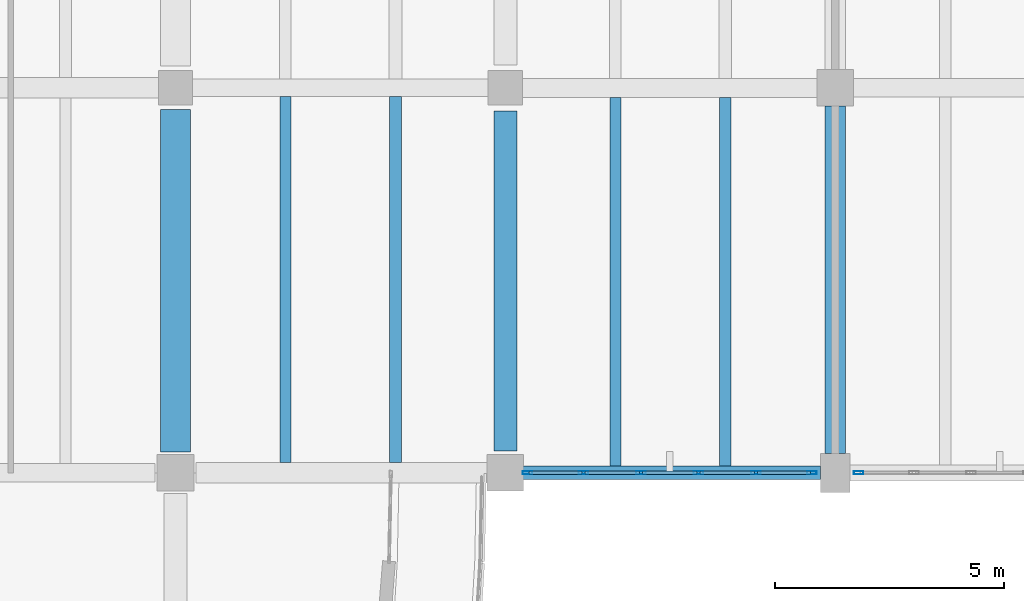
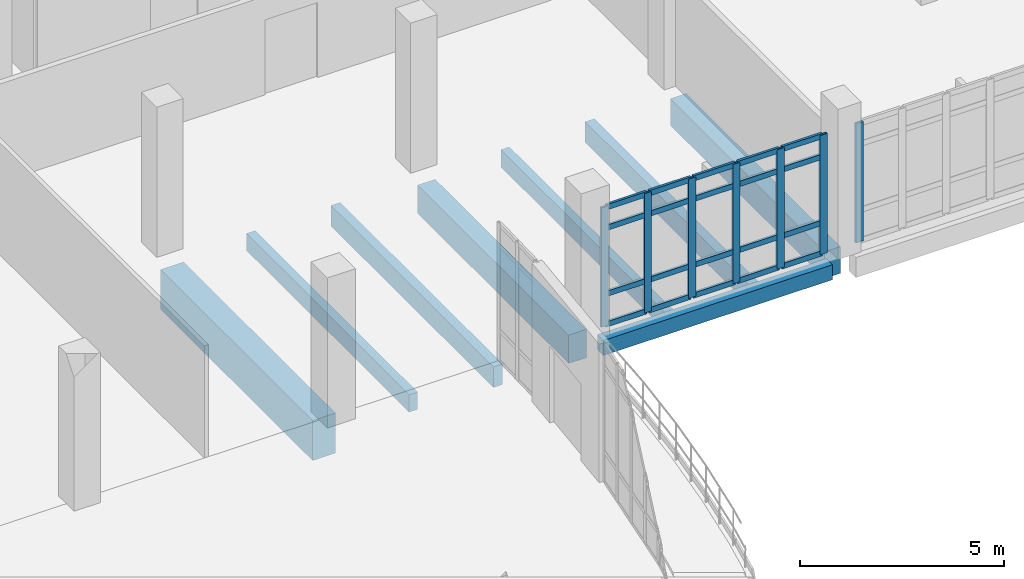
# One storey, part 70 of 124: 27 members, 8 beams, 2 elements without a shape of their own.
"""IFC4 building model written with IfcOpenShell, lengths in metres."""

from ifc_helpers import new_model, si_unit, direction, frame, origin, origin_2d, place, context, subcontext, project, spatial, rectangle, hollow_rectangle, extrude, material, material_profile, profile_set, type_object, element, aggregate, save


model = new_model("IFC4")

# Units and contexts
model_context = context("Model", 3, precision=1e-05, world=origin(), true_north=direction((0.0, 1.0)))
body_context = subcontext(model_context, "Body", "Model", "MODEL_VIEW")
ifc_project = project(units=[si_unit("LENGTHUNIT", "METRE"), si_unit("AREAUNIT", "SQUARE_METRE"), si_unit("VOLUMEUNIT", "CUBIC_METRE"), si_unit("PLANEANGLEUNIT", "RADIAN"), si_unit("MASSUNIT", "GRAM", prefix="KILO")], contexts=[model_context])

# Site, building, storey
site_placement = place(None, origin())
site = spatial("IfcSite", under=ifc_project, at=site_placement, CompositionType="ELEMENT")
building_placement = place(site_placement, origin())
building = spatial("IfcBuilding", under=site, at=building_placement, Name="Kalluvel Institute of Natural Sciences", CompositionType="ELEMENT")
storey_placement = place(building_placement, frame((0.0, 0.0, 9.89990234375)))
storey = spatial("IfcBuildingStorey", under=building, at=storey_placement, Name="L02", CompositionType="ELEMENT", Elevation=9.89990234375)

# Beams
ifc_material_1 = material(Name="Concrete M40", Category="concrete")
ifc_material_profile_1 = material_profile(ifc_material_1, rectangle(XDim=0.449951171875, YDim=0.800048828125, at=origin_2d()), Name="RCB 450x800")
ifc_profile_set_1 = profile_set([ifc_material_profile_1], Name="Concrete M40")
beam_type_1 = type_object("IfcBeamType", Name="BM-RC450x800", PredefinedType="BEAM", material=ifc_profile_set_1)
beam_1_placement = place(storey_placement, frame((93.199951171875, 103.22509765625, -0.719970703125), z_axis=(0.0, 1.0, 0.0), x_axis=(-1.0, 0.0, 0.0)))
element("IfcBeam", 1, at=beam_1_placement, inside=storey, type_object=beam_type_1, Name="L02 girder GIR-L02-NS-X932-Y1028", PredefinedType="BEAM", context=body_context, shape_type="SweptSolid", body=[
    extrude(rectangle(XDim=0.449951171875, YDim=0.800048828125, at=origin_2d()), origin(), (0.0, 0.0, 1.0), 7.574951171875),
])
ifc_material_2 = material(Name="Concrete M50", Category="concrete")
ifc_material_profile_2 = material_profile(ifc_material_2, rectangle(XDim=0.5, YDim=0.85009765625, at=origin_2d()), Name="RCB 500x850")
ifc_profile_set_2 = profile_set([ifc_material_profile_2], Name="Concrete M50")
beam_type_2 = type_object("IfcBeamType", Name="BM-RC500x850", PredefinedType="BEAM", material=ifc_profile_set_2)
beam_2_placement = place(storey_placement, frame((86.0, 103.27490234375, -0.744873046875), z_axis=(0.0, 1.0, 0.0), x_axis=(-1.0, 0.0, 0.0)))
element("IfcBeam", 2, at=beam_2_placement, inside=storey, type_object=beam_type_2, Name="L02 girder GIR-L02-NS-X860-Y1028", PredefinedType="BEAM", context=body_context, shape_type="SweptSolid", body=[
    extrude(rectangle(XDim=0.5, YDim=0.85009765625, at=origin_2d()), origin(), (0.0, 0.0, 1.0), 7.425048828125),
])
ifc_material_profile_3 = material_profile(ifc_material_2, rectangle(XDim=0.64990234375, YDim=1.199951171875, at=origin_2d()), Name="RCB 650x1200")
ifc_profile_set_3 = profile_set([ifc_material_profile_3], Name="Concrete M50")
beam_type_3 = type_object("IfcBeamType", Name="BM-RC650x1200", PredefinedType="BEAM", material=ifc_profile_set_3)
beam_3_placement = place(storey_placement, frame((78.800048828125, 103.25, -0.919921875), z_axis=(0.0, 1.0, 0.0), x_axis=(-1.0, 0.0, 0.0)))
element("IfcBeam", 3, at=beam_3_placement, inside=storey, type_object=beam_type_3, Name="L02 girder GIR-L02-NS-X788-Y1028", PredefinedType="BEAM", context=body_context, shape_type="SweptSolid", body=[
    extrude(rectangle(XDim=0.64990234375, YDim=1.199951171875, at=origin_2d()), origin(), (0.0, 0.0, 1.0), 7.47509765625),
])

# Curtain wall, members
ifc_material_3 = material(Name="Aluminium AW-6063 T6", Category="aluminium")
curtain_wall_type = type_object("IfcCurtainWallType", Name="CW-WET-45", PredefinedType="USERDEFINED", material=ifc_material_3)
curtain_wall_1_placement = place(storey_placement, origin())
curtain_wall_1 = element("IfcCurtainWall", 4, at=curtain_wall_1_placement, inside=storey, type_object=curtain_wall_type, Name="L02 Gothic lancet curtain wall CWA-L02-X864-Y1028", ObjectType="UNITISED LANCET FACADE", PredefinedType="USERDEFINED")
ifc_material_profile_4 = material_profile(ifc_material_3, hollow_rectangle(XDim=0.070068359375, YDim=0.2099609375, WallThickness=0.0048828125, at=origin_2d()), Name="CWM 70x210")
ifc_profile_set_4 = profile_set([ifc_material_profile_4], Name="Aluminium AW-6063 T6")
member_type_1 = type_object("IfcMemberType", Name="CWM-70x210", PredefinedType="MULLION", material=ifc_profile_set_4)
member_1_placement = place(storey_placement, frame((86.485107421875, 102.800048828125, 0.0), z_axis=(0.0, 0.0, 1.0), x_axis=(0.0, 1.0, 0.0)))
member_1 = element("IfcMember", 5, at=member_1_placement, type_object=member_type_1, Name="CW-01 mullion 1", PredefinedType="MULLION", context=body_context, shape_type="SweptSolid", body=[
    extrude(hollow_rectangle(XDim=0.070068359375, YDim=0.2099609375, WallThickness=0.0048828125, at=origin_2d()), origin(), (0.0, 0.0, 1.0), 3.580078125),
])
member_2_placement = place(storey_placement, frame((87.705078125, 102.800048828125, 0.0), z_axis=(0.0, 0.0, 1.0), x_axis=(0.0, 1.0, 0.0)))
member_2 = element("IfcMember", 6, at=member_2_placement, type_object=member_type_1, Name="CW-01 mullion 2", PredefinedType="MULLION", context=body_context, shape_type="SweptSolid", body=[
    extrude(hollow_rectangle(XDim=0.070068359375, YDim=0.2099609375, WallThickness=0.0048828125, at=origin_2d()), origin(), (0.0, 0.0, 1.0), 3.580078125),
])
member_3_placement = place(storey_placement, frame((88.9599609375, 102.800048828125, 0.0), z_axis=(0.0, 0.0, 1.0), x_axis=(0.0, 1.0, 0.0)))
member_3 = element("IfcMember", 7, at=member_3_placement, type_object=member_type_1, Name="CW-01 mullion 3", PredefinedType="MULLION", context=body_context, shape_type="SweptSolid", body=[
    extrude(hollow_rectangle(XDim=0.070068359375, YDim=0.2099609375, WallThickness=0.0048828125, at=origin_2d()), origin(), (0.0, 0.0, 1.0), 3.580078125),
])
member_4_placement = place(storey_placement, frame((90.215087890625, 102.800048828125, 0.0), z_axis=(0.0, 0.0, 1.0), x_axis=(0.0, 1.0, 0.0)))
member_4 = element("IfcMember", 8, at=member_4_placement, type_object=member_type_1, Name="CW-01 mullion 4", PredefinedType="MULLION", context=body_context, shape_type="SweptSolid", body=[
    extrude(hollow_rectangle(XDim=0.070068359375, YDim=0.2099609375, WallThickness=0.0048828125, at=origin_2d()), origin(), (0.0, 0.0, 1.0), 3.580078125),
])
member_5_placement = place(storey_placement, frame((91.469970703125, 102.800048828125, 0.0), z_axis=(0.0, 0.0, 1.0), x_axis=(0.0, 1.0, 0.0)))
member_5 = element("IfcMember", 9, at=member_5_placement, type_object=member_type_1, Name="CW-01 mullion 5", PredefinedType="MULLION", context=body_context, shape_type="SweptSolid", body=[
    extrude(hollow_rectangle(XDim=0.070068359375, YDim=0.2099609375, WallThickness=0.0048828125, at=origin_2d()), origin(), (0.0, 0.0, 1.0), 3.580078125),
])
member_6_placement = place(storey_placement, frame((92.68994140625, 102.800048828125, 0.0), z_axis=(0.0, 0.0, 1.0), x_axis=(0.0, 1.0, 0.0)))
member_6 = element("IfcMember", 10, at=member_6_placement, type_object=member_type_1, Name="CW-01 mullion 6", PredefinedType="MULLION", context=body_context, shape_type="SweptSolid", body=[
    extrude(hollow_rectangle(XDim=0.070068359375, YDim=0.2099609375, WallThickness=0.0048828125, at=origin_2d()), origin(), (0.0, 0.0, 1.0), 3.580078125),
])

# Curtain wall, member
curtain_wall_2_placement = place(storey_placement, origin())
curtain_wall_2 = element("IfcCurtainWall", 11, at=curtain_wall_2_placement, inside=storey, type_object=curtain_wall_type, Name="L02 Gothic lancet curtain wall CWA-L02-X937-Y1028", ObjectType="UNITISED LANCET FACADE", PredefinedType="USERDEFINED")
member_7_placement = place(storey_placement, frame((93.7099609375, 102.800048828125, 0.0), z_axis=(0.0, 0.0, 1.0), x_axis=(0.0, 1.0, 0.0)))
member_7 = element("IfcMember", 12, at=member_7_placement, type_object=member_type_1, Name="CW-01 mullion 1", PredefinedType="MULLION", context=body_context, shape_type="SweptSolid", body=[
    extrude(hollow_rectangle(XDim=0.070068359375, YDim=0.2099609375, WallThickness=0.0048828125, at=origin_2d()), origin(), (0.0, 0.0, 1.0), 3.580078125),
])
aggregate(curtain_wall_2, [member_7])

# Member
ifc_material_profile_5 = material_profile(ifc_material_3, hollow_rectangle(XDim=0.070068359375, YDim=0.159912109375, WallThickness=0.0048828125, at=origin_2d()), Name="CWT 70x160")
ifc_profile_set_5 = profile_set([ifc_material_profile_5], Name="Aluminium AW-6063 T6")
member_type_2 = type_object("IfcMemberType", Name="CWT-70x160", PredefinedType="USERDEFINED", material=ifc_profile_set_5)
member_8_placement = place(storey_placement, frame((86.52001953125, 102.800048828125, 0.03515625), z_axis=(1.0, 0.0, 0.0), x_axis=(0.0, 1.0, 0.0)))
member_8 = element("IfcMember", 13, at=member_8_placement, type_object=member_type_2, Name="CW-01 transom 1.1", ObjectType="TRANSOM", PredefinedType="USERDEFINED", context=body_context, shape_type="SweptSolid", body=[
    extrude(hollow_rectangle(XDim=0.070068359375, YDim=0.159912109375, WallThickness=0.0048828125, at=origin_2d()), origin(), (0.0, 0.0, 1.0), 1.14990234375),
])

member_9_placement = place(storey_placement, frame((86.52001953125, 102.800048828125, 0.9501953125), z_axis=(1.0, 0.0, 0.0), x_axis=(0.0, 1.0, 0.0)))
member_9 = element("IfcMember", 14, at=member_9_placement, type_object=member_type_2, Name="CW-01 transom 1.2", ObjectType="TRANSOM", PredefinedType="USERDEFINED", context=body_context, shape_type="SweptSolid", body=[
    extrude(hollow_rectangle(XDim=0.070068359375, YDim=0.159912109375, WallThickness=0.0048828125, at=origin_2d()), origin(), (0.0, 0.0, 1.0), 1.14990234375),
])

member_10_placement = place(storey_placement, frame((86.52001953125, 102.800048828125, 2.93017578125), z_axis=(1.0, 0.0, 0.0), x_axis=(0.0, 1.0, 0.0)))
member_10 = element("IfcMember", 15, at=member_10_placement, type_object=member_type_2, Name="CW-01 transom 1.3", ObjectType="TRANSOM", PredefinedType="USERDEFINED", context=body_context, shape_type="SweptSolid", body=[
    extrude(hollow_rectangle(XDim=0.070068359375, YDim=0.159912109375, WallThickness=0.0048828125, at=origin_2d()), origin(), (0.0, 0.0, 1.0), 1.14990234375),
])

member_11_placement = place(storey_placement, frame((86.52001953125, 102.800048828125, 3.545166015625), z_axis=(1.0, 0.0, 0.0), x_axis=(0.0, 1.0, 0.0)))
member_11 = element("IfcMember", 16, at=member_11_placement, type_object=member_type_2, Name="CW-01 transom 1.4", ObjectType="TRANSOM", PredefinedType="USERDEFINED", context=body_context, shape_type="SweptSolid", body=[
    extrude(hollow_rectangle(XDim=0.070068359375, YDim=0.159912109375, WallThickness=0.0048828125, at=origin_2d()), origin(), (0.0, 0.0, 1.0), 1.14990234375),
])

member_12_placement = place(storey_placement, frame((87.739990234375, 102.800048828125, 0.03515625), z_axis=(1.0, 0.0, 0.0), x_axis=(0.0, 1.0, 0.0)))
member_12 = element("IfcMember", 17, at=member_12_placement, type_object=member_type_2, Name="CW-01 transom 2.1", ObjectType="TRANSOM", PredefinedType="USERDEFINED", context=body_context, shape_type="SweptSolid", body=[
    extrude(hollow_rectangle(XDim=0.070068359375, YDim=0.159912109375, WallThickness=0.0048828125, at=origin_2d()), origin(), (0.0, 0.0, 1.0), 1.18505859375),
])

member_13_placement = place(storey_placement, frame((87.739990234375, 102.800048828125, 0.9501953125), z_axis=(1.0, 0.0, 0.0), x_axis=(0.0, 1.0, 0.0)))
member_13 = element("IfcMember", 18, at=member_13_placement, type_object=member_type_2, Name="CW-01 transom 2.2", ObjectType="TRANSOM", PredefinedType="USERDEFINED", context=body_context, shape_type="SweptSolid", body=[
    extrude(hollow_rectangle(XDim=0.070068359375, YDim=0.159912109375, WallThickness=0.0048828125, at=origin_2d()), origin(), (0.0, 0.0, 1.0), 1.18505859375),
])

member_14_placement = place(storey_placement, frame((87.739990234375, 102.800048828125, 2.93017578125), z_axis=(1.0, 0.0, 0.0), x_axis=(0.0, 1.0, 0.0)))
member_14 = element("IfcMember", 19, at=member_14_placement, type_object=member_type_2, Name="CW-01 transom 2.3", ObjectType="TRANSOM", PredefinedType="USERDEFINED", context=body_context, shape_type="SweptSolid", body=[
    extrude(hollow_rectangle(XDim=0.070068359375, YDim=0.159912109375, WallThickness=0.0048828125, at=origin_2d()), origin(), (0.0, 0.0, 1.0), 1.18505859375),
])

member_15_placement = place(storey_placement, frame((87.739990234375, 102.800048828125, 3.545166015625), z_axis=(1.0, 0.0, 0.0), x_axis=(0.0, 1.0, 0.0)))
member_15 = element("IfcMember", 20, at=member_15_placement, type_object=member_type_2, Name="CW-01 transom 2.4", ObjectType="TRANSOM", PredefinedType="USERDEFINED", context=body_context, shape_type="SweptSolid", body=[
    extrude(hollow_rectangle(XDim=0.070068359375, YDim=0.159912109375, WallThickness=0.0048828125, at=origin_2d()), origin(), (0.0, 0.0, 1.0), 1.18505859375),
])

member_16_placement = place(storey_placement, frame((88.9951171875, 102.800048828125, 0.03515625), z_axis=(1.0, 0.0, 0.0), x_axis=(0.0, 1.0, 0.0)))
member_16 = element("IfcMember", 21, at=member_16_placement, type_object=member_type_2, Name="CW-01 transom 3.1", ObjectType="TRANSOM", PredefinedType="USERDEFINED", context=body_context, shape_type="SweptSolid", body=[
    extrude(hollow_rectangle(XDim=0.070068359375, YDim=0.159912109375, WallThickness=0.0048828125, at=origin_2d()), origin(), (0.0, 0.0, 1.0), 1.184814453125),
])

member_17_placement = place(storey_placement, frame((88.9951171875, 102.800048828125, 0.9501953125), z_axis=(1.0, 0.0, 0.0), x_axis=(0.0, 1.0, 0.0)))
member_17 = element("IfcMember", 22, at=member_17_placement, type_object=member_type_2, Name="CW-01 transom 3.2", ObjectType="TRANSOM", PredefinedType="USERDEFINED", context=body_context, shape_type="SweptSolid", body=[
    extrude(hollow_rectangle(XDim=0.070068359375, YDim=0.159912109375, WallThickness=0.0048828125, at=origin_2d()), origin(), (0.0, 0.0, 1.0), 1.184814453125),
])

member_18_placement = place(storey_placement, frame((88.9951171875, 102.800048828125, 2.93017578125), z_axis=(1.0, 0.0, 0.0), x_axis=(0.0, 1.0, 0.0)))
member_18 = element("IfcMember", 23, at=member_18_placement, type_object=member_type_2, Name="CW-01 transom 3.3", ObjectType="TRANSOM", PredefinedType="USERDEFINED", context=body_context, shape_type="SweptSolid", body=[
    extrude(hollow_rectangle(XDim=0.070068359375, YDim=0.159912109375, WallThickness=0.0048828125, at=origin_2d()), origin(), (0.0, 0.0, 1.0), 1.184814453125),
])

member_19_placement = place(storey_placement, frame((88.9951171875, 102.800048828125, 3.545166015625), z_axis=(1.0, 0.0, 0.0), x_axis=(0.0, 1.0, 0.0)))
member_19 = element("IfcMember", 24, at=member_19_placement, type_object=member_type_2, Name="CW-01 transom 3.4", ObjectType="TRANSOM", PredefinedType="USERDEFINED", context=body_context, shape_type="SweptSolid", body=[
    extrude(hollow_rectangle(XDim=0.070068359375, YDim=0.159912109375, WallThickness=0.0048828125, at=origin_2d()), origin(), (0.0, 0.0, 1.0), 1.184814453125),
])

member_20_placement = place(storey_placement, frame((90.25, 102.800048828125, 0.03515625), z_axis=(1.0, 0.0, 0.0), x_axis=(0.0, 1.0, 0.0)))
member_20 = element("IfcMember", 25, at=member_20_placement, type_object=member_type_2, Name="CW-01 transom 4.1", ObjectType="TRANSOM", PredefinedType="USERDEFINED", context=body_context, shape_type="SweptSolid", body=[
    extrude(hollow_rectangle(XDim=0.070068359375, YDim=0.159912109375, WallThickness=0.0048828125, at=origin_2d()), origin(), (0.0, 0.0, 1.0), 1.18505859375),
])

member_21_placement = place(storey_placement, frame((90.25, 102.800048828125, 0.9501953125), z_axis=(1.0, 0.0, 0.0), x_axis=(0.0, 1.0, 0.0)))
member_21 = element("IfcMember", 26, at=member_21_placement, type_object=member_type_2, Name="CW-01 transom 4.2", ObjectType="TRANSOM", PredefinedType="USERDEFINED", context=body_context, shape_type="SweptSolid", body=[
    extrude(hollow_rectangle(XDim=0.070068359375, YDim=0.159912109375, WallThickness=0.0048828125, at=origin_2d()), origin(), (0.0, 0.0, 1.0), 1.18505859375),
])

member_22_placement = place(storey_placement, frame((90.25, 102.800048828125, 2.93017578125), z_axis=(1.0, 0.0, 0.0), x_axis=(0.0, 1.0, 0.0)))
member_22 = element("IfcMember", 27, at=member_22_placement, type_object=member_type_2, Name="CW-01 transom 4.3", ObjectType="TRANSOM", PredefinedType="USERDEFINED", context=body_context, shape_type="SweptSolid", body=[
    extrude(hollow_rectangle(XDim=0.070068359375, YDim=0.159912109375, WallThickness=0.0048828125, at=origin_2d()), origin(), (0.0, 0.0, 1.0), 1.18505859375),
])

member_23_placement = place(storey_placement, frame((90.25, 102.800048828125, 3.545166015625), z_axis=(1.0, 0.0, 0.0), x_axis=(0.0, 1.0, 0.0)))
member_23 = element("IfcMember", 28, at=member_23_placement, type_object=member_type_2, Name="CW-01 transom 4.4", ObjectType="TRANSOM", PredefinedType="USERDEFINED", context=body_context, shape_type="SweptSolid", body=[
    extrude(hollow_rectangle(XDim=0.070068359375, YDim=0.159912109375, WallThickness=0.0048828125, at=origin_2d()), origin(), (0.0, 0.0, 1.0), 1.18505859375),
])

member_24_placement = place(storey_placement, frame((91.5048828125, 102.800048828125, 0.03515625), z_axis=(1.0, 0.0, 0.0), x_axis=(0.0, 1.0, 0.0)))
member_24 = element("IfcMember", 29, at=member_24_placement, type_object=member_type_2, Name="CW-01 transom 5.1", ObjectType="TRANSOM", PredefinedType="USERDEFINED", context=body_context, shape_type="SweptSolid", body=[
    extrude(hollow_rectangle(XDim=0.070068359375, YDim=0.159912109375, WallThickness=0.0048828125, at=origin_2d()), origin(), (0.0, 0.0, 1.0), 1.150146484375),
])

member_25_placement = place(storey_placement, frame((91.5048828125, 102.800048828125, 0.9501953125), z_axis=(1.0, 0.0, 0.0), x_axis=(0.0, 1.0, 0.0)))
member_25 = element("IfcMember", 30, at=member_25_placement, type_object=member_type_2, Name="CW-01 transom 5.2", ObjectType="TRANSOM", PredefinedType="USERDEFINED", context=body_context, shape_type="SweptSolid", body=[
    extrude(hollow_rectangle(XDim=0.070068359375, YDim=0.159912109375, WallThickness=0.0048828125, at=origin_2d()), origin(), (0.0, 0.0, 1.0), 1.150146484375),
])

member_26_placement = place(storey_placement, frame((91.5048828125, 102.800048828125, 2.93017578125), z_axis=(1.0, 0.0, 0.0), x_axis=(0.0, 1.0, 0.0)))
member_26 = element("IfcMember", 31, at=member_26_placement, type_object=member_type_2, Name="CW-01 transom 5.3", ObjectType="TRANSOM", PredefinedType="USERDEFINED", context=body_context, shape_type="SweptSolid", body=[
    extrude(hollow_rectangle(XDim=0.070068359375, YDim=0.159912109375, WallThickness=0.0048828125, at=origin_2d()), origin(), (0.0, 0.0, 1.0), 1.150146484375),
])

member_27_placement = place(storey_placement, frame((91.5048828125, 102.800048828125, 3.545166015625), z_axis=(1.0, 0.0, 0.0), x_axis=(0.0, 1.0, 0.0)))
member_27 = element("IfcMember", 32, at=member_27_placement, type_object=member_type_2, Name="CW-01 transom 5.4", ObjectType="TRANSOM", PredefinedType="USERDEFINED", context=body_context, shape_type="SweptSolid", body=[
    extrude(hollow_rectangle(XDim=0.070068359375, YDim=0.159912109375, WallThickness=0.0048828125, at=origin_2d()), origin(), (0.0, 0.0, 1.0), 1.150146484375),
])

aggregate(curtain_wall_1, [member_1, member_2, member_3, member_4, member_5, member_6, member_8, member_9, member_10, member_11, member_12, member_13, member_14, member_15, member_16, member_17, member_18, member_19, member_20, member_21, member_22, member_23, member_24, member_25, member_26, member_27])

# Beams
ifc_material_profile_6 = material_profile(ifc_material_1, rectangle(XDim=0.300048828125, YDim=0.449951171875, at=origin_2d()), Name="RCB 300x450")
ifc_profile_set_6 = profile_set([ifc_material_profile_6], Name="Concrete M40")
beam_type_4 = type_object("IfcBeamType", Name="SP-RC300x450", PredefinedType="SPANDREL", material=ifc_profile_set_6)
beam_4_placement = place(storey_placement, frame((86.375, 102.800048828125, -0.544921875), z_axis=(1.0, 0.0, 0.0), x_axis=(0.0, 1.0, 0.0)))
element("IfcBeam", 33, at=beam_4_placement, inside=storey, type_object=beam_type_4, Name="L02 girder GIR-L02-EW-X860-Y1028", PredefinedType="SPANDREL", context=body_context, shape_type="SweptSolid", body=[
    extrude(rectangle(XDim=0.300048828125, YDim=0.449951171875, at=origin_2d()), origin(), (0.0, 0.0, 1.0), 6.5),
])
ifc_material_profile_7 = material_profile(ifc_material_1, rectangle(XDim=0.239990234375, YDim=0.52001953125, at=origin_2d()), Name="WAF 240x520")
ifc_profile_set_7 = profile_set([ifc_material_profile_7], Name="Concrete M40")
beam_type_5 = type_object("IfcBeamType", Name="WJ-240x520", PredefinedType="JOIST", material=ifc_profile_set_7)
beam_5_placement = place(storey_placement, frame((81.199951171875, 103.02490234375, -0.579833984375), z_axis=(0.0, 1.0, 0.0), x_axis=(-1.0, 0.0, 0.0)))
element("IfcBeam", 34, at=beam_5_placement, inside=storey, type_object=beam_type_5, Name="L02 waffle joist RIB-L02-0188", PredefinedType="JOIST", context=body_context, shape_type="SweptSolid", body=[
    extrude(rectangle(XDim=0.239990234375, YDim=0.52001953125, at=origin_2d()), origin(), (0.0, 0.0, 1.0), 7.985107421875),
])
beam_6_placement = place(storey_placement, frame((88.39990234375, 102.949951171875, -0.579833984375), z_axis=(0.0, 1.0, 0.0), x_axis=(-1.0, 0.0, 0.0)))
element("IfcBeam", 35, at=beam_6_placement, inside=storey, type_object=beam_type_5, Name="L02 waffle joist RIB-L02-0194", PredefinedType="JOIST", context=body_context, shape_type="SweptSolid", body=[
    extrude(rectangle(XDim=0.239990234375, YDim=0.52001953125, at=origin_2d()), origin(), (0.0, 0.0, 1.0), 8.0400390625),
])
ifc_material_profile_8 = material_profile(ifc_material_2, rectangle(XDim=0.260009765625, YDim=0.6201171875, at=origin_2d()), Name="WAF 260x620")
ifc_profile_set_8 = profile_set([ifc_material_profile_8], Name="Concrete M50")
beam_type_6 = type_object("IfcBeamType", Name="WJ-260x620", PredefinedType="JOIST", material=ifc_profile_set_8)
beam_7_placement = place(storey_placement, frame((83.60009765625, 103.02490234375, -0.6298828125), z_axis=(0.0, 1.0, 0.0), x_axis=(-1.0, 0.0, 0.0)))
element("IfcBeam", 36, at=beam_7_placement, inside=storey, type_object=beam_type_6, Name="L02 waffle joist RIB-L02-0189", PredefinedType="JOIST", context=body_context, shape_type="SweptSolid", body=[
    extrude(rectangle(XDim=0.260009765625, YDim=0.6201171875, at=origin_2d()), origin(), (0.0, 0.0, 1.0), 7.985107421875),
])
beam_8_placement = place(storey_placement, frame((90.800048828125, 102.949951171875, -0.6298828125), z_axis=(0.0, 1.0, 0.0), x_axis=(-1.0, 0.0, 0.0)))
element("IfcBeam", 37, at=beam_8_placement, inside=storey, type_object=beam_type_6, Name="L02 waffle joist RIB-L02-0195", PredefinedType="JOIST", context=body_context, shape_type="SweptSolid", body=[
    extrude(rectangle(XDim=0.260009765625, YDim=0.6201171875, at=origin_2d()), origin(), (0.0, 0.0, 1.0), 8.0400390625),
])

save(model, "model.ifc")
